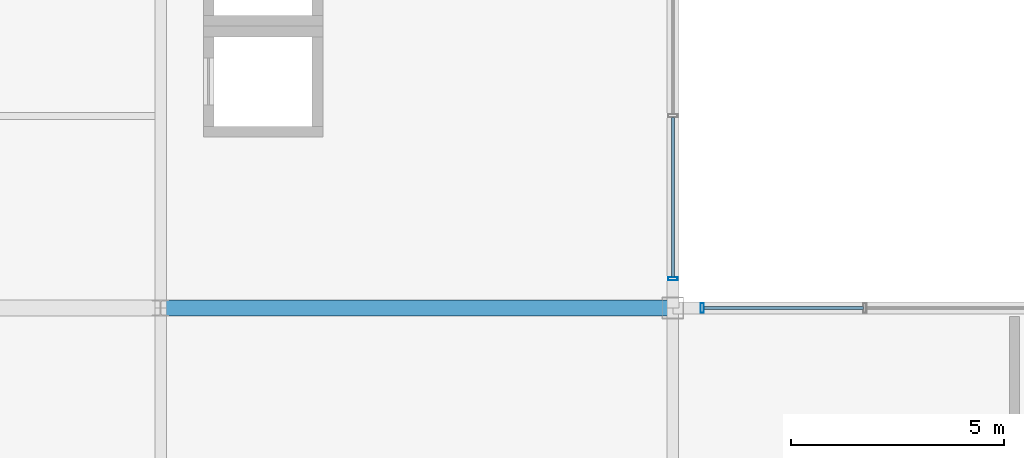
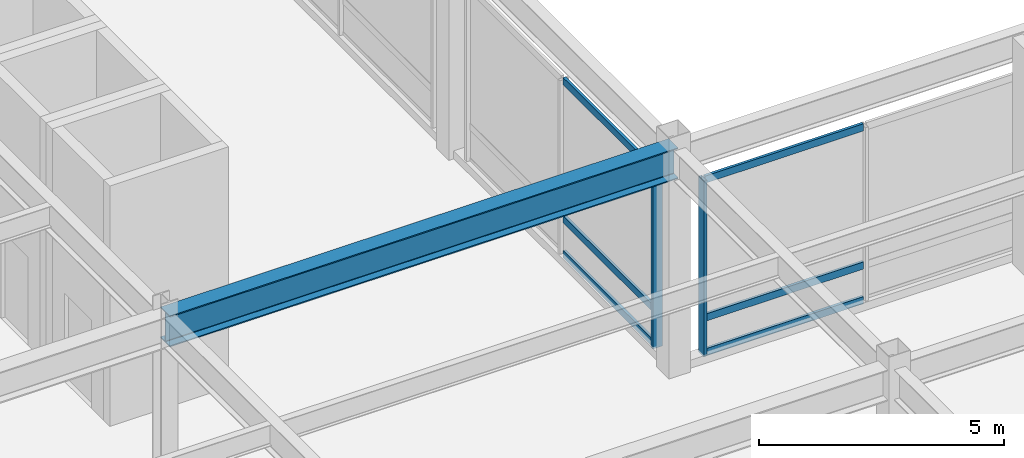
# One storey, part 59 of 108: 8 members, 1 beam, 2 elements without a shape of their own.
"""IFC4 building model written with IfcOpenShell, lengths in metres."""

from ifc_helpers import new_model, si_unit, direction, frame, origin, origin_2d, place, context, subcontext, project, spatial, hollow_rectangle, i_section, extrude, material, material_profile, profile_set, type_object, element, aggregate, save


model = new_model("IFC4")

# Units and contexts
model_context = context("Model", 3, precision=1e-05, world=origin(), true_north=direction((0.0, 1.0)))
body_context = subcontext(model_context, "Body", "Model", "MODEL_VIEW")
ifc_project = project(units=[si_unit("LENGTHUNIT", "METRE"), si_unit("AREAUNIT", "SQUARE_METRE"), si_unit("VOLUMEUNIT", "CUBIC_METRE"), si_unit("PLANEANGLEUNIT", "RADIAN"), si_unit("MASSUNIT", "GRAM", prefix="KILO")], contexts=[model_context])

# Site, building, storey
site_placement = place(None, origin())
site = spatial("IfcSite", under=ifc_project, at=site_placement, CompositionType="ELEMENT")
building_placement = place(site_placement, origin())
building = spatial("IfcBuilding", under=site, at=building_placement, Name="Kaldorvane Square Convention Centre", CompositionType="ELEMENT")
storey_placement = place(building_placement, frame((0.0, 0.0, 12.0)))
storey = spatial("IfcBuildingStorey", under=building, at=storey_placement, Name="L02", CompositionType="ELEMENT", Elevation=12.0)

# Beam
ifc_material_1 = material(Name="Steel ASTM A992 Gr. 50", Category="steel")
ifc_material_profile_1 = material_profile(ifc_material_1, i_section(OverallWidth=0.380706787109375, OverallDepth=0.773193359375, WebThickness=0.0166015625, FlangeThickness=0.027099609375, FilletRadius=0.0164947509765625, at=origin_2d()), Name="W30X173")
ifc_profile_set_1 = profile_set([ifc_material_profile_1], Name="Steel ASTM A992 Gr. 50")
beam_type = type_object("IfcBeamType", Name="BM-GR-W30X173", PredefinedType="BEAM", material=ifc_profile_set_1)
beam_placement = place(storey_placement, frame((126.0, 36.0, 5.2593994140625), z_axis=(1.0, 0.0, 0.0), x_axis=(0.0, 1.0, 0.0)))
element("IfcBeam", 1, at=beam_placement, inside=storey, type_object=beam_type, Name="Primary Girder (L02)", PredefinedType="BEAM", context=body_context, shape_type="SweptSolid", body=[
    extrude(i_section(OverallWidth=0.380706787109375, OverallDepth=0.773193359375, WebThickness=0.0166015625, FlangeThickness=0.027099609375, FilletRadius=0.0164947509765625, at=origin_2d()), origin(), (0.0, 0.0, 1.0), 12.0),
])

# Curtain wall, member
ifc_material_2 = material(Name="Anodized Aluminum and Low-E Insulated Glazing", Category="aluminium")
curtain_wall_type = type_object("IfcCurtainWallType", Name="CW-PTS-FC-60", PredefinedType="USERDEFINED", material=ifc_material_2)
curtain_wall_1_placement = place(storey_placement, origin())
curtain_wall_1 = element("IfcCurtainWall", 2, at=curtain_wall_1_placement, inside=storey, type_object=curtain_wall_type, Name="Curtain Wall CW-07 (L02)", ObjectType="POINT SUPPORTED GLAZING", PredefinedType="USERDEFINED")
ifc_material_profile_2 = material_profile(ifc_material_2, hollow_rectangle(XDim=0.0749969482421875, YDim=0.220001220703125, WallThickness=0.003997802734375, at=origin_2d()), Name="CWM-220X75")
ifc_profile_set_2 = profile_set([ifc_material_profile_2], Name="Anodized Aluminum and Low-E Insulated Glazing")
member_type_1 = type_object("IfcMemberType", Name="CW-MUL-220", PredefinedType="MULLION", material=ifc_profile_set_2)
member_1_placement = place(storey_placement, frame((138.6875, 36.0, 0.149993896484375), z_axis=(0.0, 0.0, 1.0), x_axis=(-1.0, 0.0, 0.0)))
member_1 = element("IfcMember", 3, at=member_1_placement, type_object=member_type_1, Name="CW-07 mullion 3", PredefinedType="MULLION", context=body_context, shape_type="SweptSolid", body=[
    extrude(hollow_rectangle(XDim=0.0749969482421875, YDim=0.220001220703125, WallThickness=0.003997802734375, at=origin_2d()), origin(), (0.0, 0.0, 1.0), 4.3800048828125),
])

curtain_wall_2_placement = place(storey_placement, origin())
curtain_wall_2 = element("IfcCurtainWall", 4, at=curtain_wall_2_placement, inside=storey, type_object=curtain_wall_type, Name="Curtain Wall CW-07 (L02)", ObjectType="POINT SUPPORTED GLAZING", PredefinedType="USERDEFINED")
member_2_placement = place(storey_placement, frame((138.0, 36.6875, 0.149993896484375), z_axis=(0.0, 0.0, 1.0), x_axis=(0.0, 1.0, 0.0)))
member_2 = element("IfcMember", 5, at=member_2_placement, type_object=member_type_1, Name="CW-07 mullion 1", PredefinedType="MULLION", context=body_context, shape_type="SweptSolid", body=[
    extrude(hollow_rectangle(XDim=0.0749969482421875, YDim=0.220001220703125, WallThickness=0.003997802734375, at=origin_2d()), origin(), (0.0, 0.0, 1.0), 4.3800048828125),
])

# Member
ifc_material_profile_3 = material_profile(ifc_material_2, hollow_rectangle(XDim=0.06500244140625, YDim=0.17999267578125, WallThickness=0.0034942626953125, at=origin_2d()), Name="CWT-180X65")
ifc_profile_set_3 = profile_set([ifc_material_profile_3], Name="Anodized Aluminum and Low-E Insulated Glazing")
member_type_2 = type_object("IfcMemberType", Name="CW-TRN-180", PredefinedType="USERDEFINED", material=ifc_profile_set_3)
member_3_placement = place(storey_placement, frame((142.46249389648438, 36.0, 0.1824951171875), z_axis=(-1.0, 0.0, 0.0), x_axis=(0.0, -1.0, 0.0)))
member_3 = element("IfcMember", 6, at=member_3_placement, type_object=member_type_2, Name="CW-07 transom 2.1", ObjectType="TRANSOM", PredefinedType="USERDEFINED", context=body_context, shape_type="SweptSolid", body=[
    extrude(hollow_rectangle(XDim=0.06500244140625, YDim=0.17999267578125, WallThickness=0.0034942626953125, at=origin_2d()), origin(), (0.0, 0.0, 1.0), 3.73748779296875),
])

member_4_placement = place(storey_placement, frame((142.46249389648438, 36.0, 1.0500030517578125), z_axis=(-1.0, 0.0, 0.0), x_axis=(0.0, -1.0, 0.0)))
member_4 = element("IfcMember", 7, at=member_4_placement, type_object=member_type_2, Name="CW-07 transom 2.2", ObjectType="TRANSOM", PredefinedType="USERDEFINED", context=body_context, shape_type="SweptSolid", body=[
    extrude(hollow_rectangle(XDim=0.06500244140625, YDim=0.17999267578125, WallThickness=0.0034942626953125, at=origin_2d()), origin(), (0.0, 0.0, 1.0), 3.73748779296875),
])

member_5_placement = place(storey_placement, frame((142.46249389648438, 36.0, 4.49749755859375), z_axis=(-1.0, 0.0, 0.0), x_axis=(0.0, -1.0, 0.0)))
member_5 = element("IfcMember", 8, at=member_5_placement, type_object=member_type_2, Name="CW-07 transom 2.3", ObjectType="TRANSOM", PredefinedType="USERDEFINED", context=body_context, shape_type="SweptSolid", body=[
    extrude(hollow_rectangle(XDim=0.06500244140625, YDim=0.17999267578125, WallThickness=0.0034942626953125, at=origin_2d()), origin(), (0.0, 0.0, 1.0), 3.73748779296875),
])

aggregate(curtain_wall_1, [member_1, member_3, member_4, member_5])

member_6_placement = place(storey_placement, frame((138.0, 36.725006103515625, 0.1824951171875), z_axis=(0.0, 1.0, 0.0), x_axis=(-1.0, 0.0, 0.0)))
member_6 = element("IfcMember", 9, at=member_6_placement, type_object=member_type_2, Name="CW-07 transom 1.1", ObjectType="TRANSOM", PredefinedType="USERDEFINED", context=body_context, shape_type="SweptSolid", body=[
    extrude(hollow_rectangle(XDim=0.06500244140625, YDim=0.17999267578125, WallThickness=0.0034942626953125, at=origin_2d()), origin(), (0.0, 0.0, 1.0), 3.73748779296875),
])

member_7_placement = place(storey_placement, frame((138.0, 36.725006103515625, 1.0500030517578125), z_axis=(0.0, 1.0, 0.0), x_axis=(-1.0, 0.0, 0.0)))
member_7 = element("IfcMember", 10, at=member_7_placement, type_object=member_type_2, Name="CW-07 transom 1.2", ObjectType="TRANSOM", PredefinedType="USERDEFINED", context=body_context, shape_type="SweptSolid", body=[
    extrude(hollow_rectangle(XDim=0.06500244140625, YDim=0.17999267578125, WallThickness=0.0034942626953125, at=origin_2d()), origin(), (0.0, 0.0, 1.0), 3.73748779296875),
])

member_8_placement = place(storey_placement, frame((138.0, 36.725006103515625, 4.49749755859375), z_axis=(0.0, 1.0, 0.0), x_axis=(-1.0, 0.0, 0.0)))
member_8 = element("IfcMember", 11, at=member_8_placement, type_object=member_type_2, Name="CW-07 transom 1.3", ObjectType="TRANSOM", PredefinedType="USERDEFINED", context=body_context, shape_type="SweptSolid", body=[
    extrude(hollow_rectangle(XDim=0.06500244140625, YDim=0.17999267578125, WallThickness=0.0034942626953125, at=origin_2d()), origin(), (0.0, 0.0, 1.0), 3.73748779296875),
])

aggregate(curtain_wall_2, [member_2, member_6, member_7, member_8])

save(model, "model.ifc")
